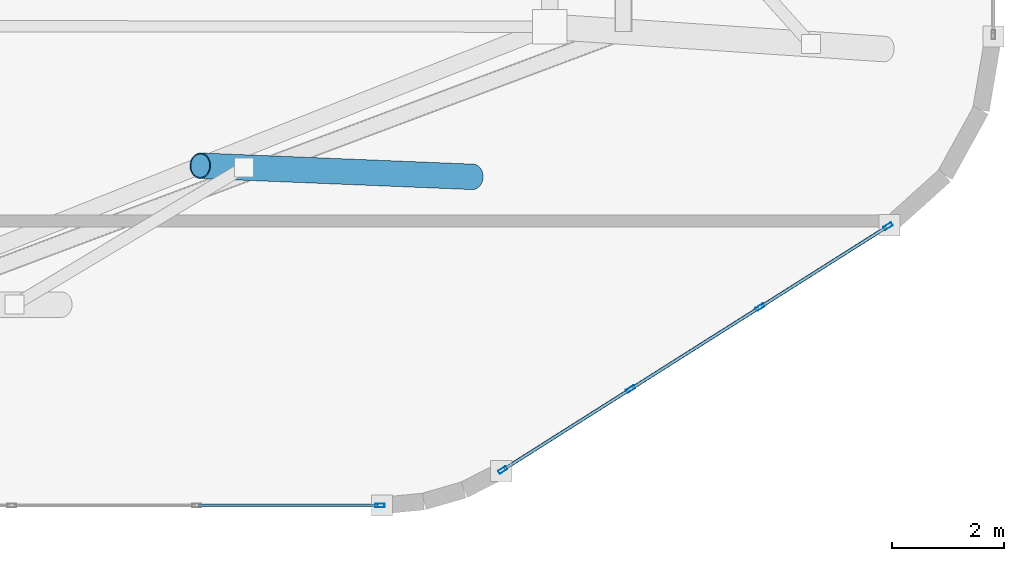
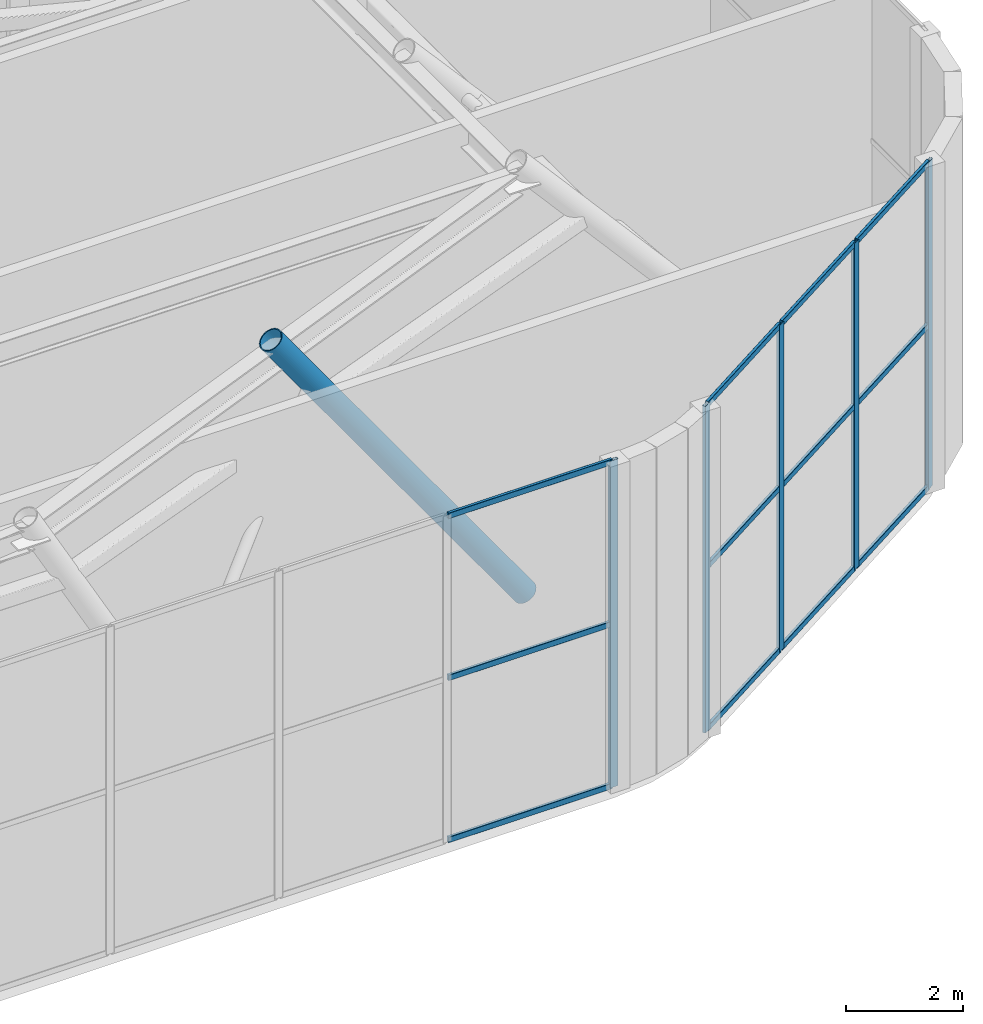
# One storey, part 16 of 24: 18 members, 2 elements without a shape of their own.
"""IFC4 building model written with IfcOpenShell, lengths in metres."""

import ifcopenshell
import ifcopenshell.guid

model = None  # the IFC model being written
_history = None  # IfcOwnerHistory: only IFC2X3 demands one
_inside = {}  # id of a spatial element -> (the spatial element, [elements in it])
_under = {}  # id of a project, library or spatial element -> (it, [spatial elements below it])
_declared = {}  # id of a project -> (the project, [libraries it declares])
_typed = {}  # id of a type object -> (the type object, [elements of that type])
_made_of = {}  # id of a material, layer set ... -> (it, [elements and type objects made of it])


def new_model(schema):
    """Start an empty IFC model of exactly this schema.

    Asked for "IFC4X3", IfcOpenShell would pick the latest addendum, in which some entities
    have other attributes; the version numbers below select the first issue.
    IFC2X3 requires an IfcOwnerHistory on every rooted entity: one is made here for all.
    """
    global model, _history
    if schema == "IFC4X3":
        model = ifcopenshell.file(schema_version=(4, 3, 0, 0))
    else:
        model = ifcopenshell.file(schema=schema)
    _inside.clear()
    _under.clear()
    _declared.clear()
    _typed.clear()
    _made_of.clear()
    _history = None
    if model.schema == "IFC2X3":
        org = make("IfcOrganization", Name="unknown")
        user = make(
            "IfcPersonAndOrganization",
            ThePerson=make("IfcPerson", FamilyName="unknown"),
            TheOrganization=org,
        )
        app = make(
            "IfcApplication",
            ApplicationDeveloper=org,
            Version="unknown",
            ApplicationFullName="unknown",
            ApplicationIdentifier="unknown",
        )
        _history = make(
            "IfcOwnerHistory",
            OwningUser=user,
            OwningApplication=app,
            ChangeAction="ADDED",
            CreationDate=0,
        )
    return model


def make(cls, **values):
    """One entity of the class cls with the attributes given. An attribute that is None is left unset."""
    return model.create_entity(
        cls, **{name: value for name, value in values.items() if value is not None}
    )


def rooted(cls, **values):
    """An entity with a GlobalId (a new one), such as an element, a storey or a relation."""
    return make(cls, GlobalId=ifcopenshell.guid.new(), OwnerHistory=_history, **values)


def si_unit(unit_type, name, prefix=None):
    """IfcSIUnit, for example si_unit("LENGTHUNIT", "METRE", prefix="MILLI")."""
    return make("IfcSIUnit", UnitType=unit_type, Prefix=prefix, Name=name)


def assignment(units):
    """IfcUnitAssignment: the units of a project."""
    return None if units is None else make("IfcUnitAssignment", Units=units)


def point(xyz):
    """IfcCartesianPoint."""
    return None if xyz is None else make("IfcCartesianPoint", Coordinates=xyz)


def direction(xyz):
    """IfcDirection."""
    return None if xyz is None else make("IfcDirection", DirectionRatios=xyz)


def frame(location, z_axis=None, x_axis=None):
    """IfcAxis2Placement3D, a coordinate frame: its origin and axes. An axis left out is left unset."""
    return make(
        "IfcAxis2Placement3D",
        Location=point(location),
        Axis=direction(z_axis),
        RefDirection=direction(x_axis),
    )


def frame_2d(location, x_axis=None):
    """IfcAxis2Placement2D, a coordinate frame in the plane: its origin and x axis."""
    return make(
        "IfcAxis2Placement2D", Location=point(location), RefDirection=direction(x_axis)
    )


def origin():
    """The frame at (0, 0, 0) with its axes left unset."""
    return frame((0.0, 0.0, 0.0))


def origin_2d():
    """The frame at (0, 0) in the plane with its x axis left unset."""
    return frame_2d((0.0, 0.0))


def place(relative_to, where):
    """IfcLocalPlacement: puts the frame where relative to a parent placement (None: the world)."""
    return make(
        "IfcLocalPlacement", PlacementRelTo=relative_to, RelativePlacement=where
    )


def context(
    kind, dimensions, precision=None, world=None, true_north=None, identifier=None
):
    """IfcGeometricRepresentationContext, for example the 3D "Model" context."""
    return make(
        "IfcGeometricRepresentationContext",
        ContextIdentifier=identifier,
        ContextType=kind,
        CoordinateSpaceDimension=dimensions,
        Precision=precision,
        WorldCoordinateSystem=world,
        TrueNorth=true_north,
    )


def subcontext(parent, identifier, kind, view, scale=None):
    """IfcGeometricRepresentationSubContext, for example "Body" below "Model"."""
    return make(
        "IfcGeometricRepresentationSubContext",
        ContextIdentifier=identifier,
        ContextType=kind,
        ParentContext=parent,
        TargetScale=scale,
        TargetView=view,
    )


def project(units=None, contexts=None):
    """IfcProject with its units and contexts."""
    return rooted(
        "IfcProject",
        Name="project",
        RepresentationContexts=contexts,
        UnitsInContext=assignment(units),
    )


def spatial(cls, under=None, at=None, **own):
    """A site, building, storey or space (cls), placed at a placement, below another one or the project."""
    s = rooted(cls, ObjectPlacement=at, **own)
    if under is not None:
        _under.setdefault(under.id(), (under, []))[1].append(s)
    return s


def profile(cls, at=None, kind="AREA", **sizes):
    """A parametric profile (cls). Its sizes go by their IFC names, for example OverallWidth=200.0."""
    return make(cls, ProfileType=kind, Position=at, **sizes)


def hollow_rectangle(**sizes):
    """IfcRectangleHollowProfileDef."""
    return profile("IfcRectangleHollowProfileDef", **sizes)


def hollow_circle(**sizes):
    """IfcCircleHollowProfileDef."""
    return profile("IfcCircleHollowProfileDef", **sizes)


def extrude(swept, where, along, depth):
    """IfcExtrudedAreaSolid: the profile swept, set in the frame where, extruded along a direction by depth."""
    return make(
        "IfcExtrudedAreaSolid",
        SweptArea=swept,
        Position=where,
        ExtrudedDirection=direction(along),
        Depth=depth,
    )


def shape(context_of_items, identifier, shape_type, items):
    """IfcShapeRepresentation: the items that make up one representation, for example the "Body"."""
    return make(
        "IfcShapeRepresentation",
        ContextOfItems=context_of_items,
        RepresentationIdentifier=identifier,
        RepresentationType=shape_type,
        Items=items,
    )


def material(Name=None, Category=None):
    """IfcMaterial."""
    return make("IfcMaterial", Name=Name, Category=Category)


def layer(
    of_material, thickness, ventilated=None, Name=None, Category=None, Priority=None
):
    """IfcMaterialLayer: one layer of a wall or slab, of a material (None: an air gap)."""
    return make(
        "IfcMaterialLayer",
        Material=of_material,
        LayerThickness=thickness,
        IsVentilated=ventilated,
        Name=Name,
        Category=Category,
        Priority=Priority,
    )


def layer_set(layers, Name=None):
    """IfcMaterialLayerSet."""
    return make("IfcMaterialLayerSet", MaterialLayers=layers, LayerSetName=Name)


def material_profile(
    of_material, cross_section, Name=None, Category=None, Priority=None
):
    """IfcMaterialProfile: a cross section and its material."""
    return make(
        "IfcMaterialProfile",
        Name=Name,
        Material=of_material,
        Profile=cross_section,
        Priority=Priority,
        Category=Category,
    )


def profile_set(profiles, Name=None, composite=None):
    """IfcMaterialProfileSet."""
    return make(
        "IfcMaterialProfileSet",
        Name=Name,
        MaterialProfiles=profiles,
        CompositeProfile=composite,
    )


def made_of(thing, what):
    """Note that an element or type object is made of a material, layer set ...; save() writes the relation."""
    if what is not None:
        _made_of.setdefault(what.id(), (what, []))[1].append(thing)
    return thing


def type_object(cls, material=None, **own):
    """A type object (cls), such as IfcWallType, which elements share."""
    return made_of(rooted(cls, **own), material)


def element(
    cls,
    number,
    at=None,
    inside=None,
    cuts=None,
    type_object=None,
    material=None,
    context=None,
    identifier="Body",
    shape_type=None,
    held_by="IfcProductDefinitionShape",
    body=None,
    shapes=None,
    **own,
):
    """One element of the class cls, such as IfcWall. Its Tag is "e" and its number.

    at: its placement. inside: the storey or other place that contains it. cuts: it is an
    opening in that element (IfcRelVoidsElement). A single representation is given by context,
    identifier, shape_type and body (its items); several are given by shapes. held_by: the class
    of the entity that holds the representations. save() writes the other relations.
    """
    e = rooted(cls, Tag="e%d" % number, ObjectPlacement=at, **own)
    if body is not None:
        shapes = [shape(context, identifier, shape_type, body)]
    if shapes is not None:
        e.Representation = make(held_by, Representations=shapes)
    if inside is not None:
        _inside.setdefault(inside.id(), (inside, []))[1].append(e)
    if cuts is not None:
        rooted(
            "IfcRelVoidsElement", RelatingBuildingElement=cuts, RelatedOpeningElement=e
        )
    if type_object is not None:
        _typed.setdefault(type_object.id(), (type_object, []))[1].append(e)
    return made_of(e, material)


def aggregate(whole, parts):
    """IfcRelAggregates: a whole, such as a stair, and the parts it consists of."""
    return rooted("IfcRelAggregates", RelatingObject=whole, RelatedObjects=parts)


def save(model, path):
    """Write the relations noted so far, then the file.

    IfcRelAggregates (storeys below a building ...), IfcRelContainedInSpatialStructure (elements
    in a storey), IfcRelDefinesByType, IfcRelAssociatesMaterial and IfcRelDeclares: one each for
    every whole, place, type object, material and project.
    """
    for whole, parts in _under.values():
        aggregate(whole, parts)
    for where, things in _inside.values():
        rooted(
            "IfcRelContainedInSpatialStructure",
            RelatedElements=things,
            RelatingStructure=where,
        )
    for kind, things in _typed.values():
        rooted("IfcRelDefinesByType", RelatedObjects=things, RelatingType=kind)
    for what, things in _made_of.values():
        rooted("IfcRelAssociatesMaterial", RelatedObjects=things, RelatingMaterial=what)
    for by, libraries in _declared.values():
        rooted("IfcRelDeclares", RelatingContext=by, RelatedDefinitions=libraries)
    model.write(path)


model = new_model("IFC4")

# Units and contexts
model_context = context("Model", 3, precision=1e-05, world=origin(), true_north=direction((0.0, 1.0)))
body_context = subcontext(model_context, "Body", "Model", "MODEL_VIEW")
ifc_project = project(units=[si_unit("LENGTHUNIT", "METRE"), si_unit("AREAUNIT", "SQUARE_METRE"), si_unit("VOLUMEUNIT", "CUBIC_METRE"), si_unit("PLANEANGLEUNIT", "RADIAN"), si_unit("MASSUNIT", "GRAM", prefix="KILO")], contexts=[model_context])

# Site, building, storey
site_placement = place(None, origin())
site = spatial("IfcSite", under=ifc_project, at=site_placement, CompositionType="ELEMENT")
building_placement = place(site_placement, origin())
building = spatial("IfcBuilding", under=site, at=building_placement, Name="An Khanh Terracotta Commons", CompositionType="ELEMENT")
storey_placement = place(building_placement, frame((0.0, 0.0, 315.199951171875)))
storey = spatial("IfcBuildingStorey", under=building, at=storey_placement, Name="L80 Crown Cooling Plant", CompositionType="ELEMENT", Elevation=315.199951171875)

# Member
ifc_material_1 = material(Name="Steel S460ML", Category="steel")
ifc_material_profile_1 = material_profile(ifc_material_1, hollow_circle(Radius=0.228515625, WallThickness=0.02001953125, at=origin_2d()), Name="CHS457x20")
ifc_profile_set_1 = profile_set([ifc_material_profile_1], Name="Steel S460ML")
member_type_1 = type_object("IfcMemberType", Name="CROWN FRAME RIB CHS457", PredefinedType="STRUT", material=ifc_profile_set_1)
member_1_placement = place(storey_placement, frame((55.469970703125, 17.489990234375, -0.119873046875), z_axis=(-0.580950149982, 0.023783962651, 0.813591572201), x_axis=(-0.040905499286, -0.999163019796, 0.0)))
element("IfcMember", 1, at=member_1_placement, inside=storey, type_object=member_type_1, Name="L80 Crown Cooling Plant CROWN FRAME Facet Strut 2", PredefinedType="STRUT", context=body_context, shape_type="SweptSolid", body=[
    extrude(hollow_circle(Radius=0.228515625, WallThickness=0.02001953125, at=origin_2d()), origin(), (0.0, 0.0, 1.0), 8.406982421875),
])

# Curtain wall, member
ifc_material_2 = material(Name="Anodised Aluminium 6063-T6", Category="aluminium")
ifc_layer = layer(ifc_material_2, 0.18994140625, Name="Anodised Aluminium 6063-T6")
ifc_layer_set = layer_set([ifc_layer], Name="Anodised Aluminium 6063-T6")
curtain_wall_type = type_object("IfcCurtainWallType", Name="CW-SYS-06", PredefinedType="USERDEFINED", material=ifc_layer_set)
curtain_wall_1_placement = place(storey_placement, origin())
curtain_wall_1 = element("IfcCurtainWall", 2, at=curtain_wall_1_placement, inside=storey, type_object=curtain_wall_type, Name="L80 Crown Cooling Plant CW-06 Unitised Curtain Wall CW-L80-04", ObjectType="UNITISED CURTAIN WALL", PredefinedType="USERDEFINED")
ifc_material_profile_2 = material_profile(ifc_material_2, hollow_rectangle(XDim=0.06494140625, YDim=0.1650390625, WallThickness=0.00390625, InnerFilletRadius=0.00390625, OuterFilletRadius=0.008056640625, at=origin_2d()), Name="RHS165x65x4")
ifc_profile_set_2 = profile_set([ifc_material_profile_2], Name="Anodised Aluminium 6063-T6")
member_type_2 = type_object("IfcMemberType", Name="CWM-RHS165x65x4", PredefinedType="MULLION", material=ifc_profile_set_2)
member_2_placement = place(storey_placement, frame((53.80859375, 11.60009765625, 0.0), z_axis=(0.0, 0.0, 1.0), x_axis=(0.0, 1.0, 0.0)))
member_2 = element("IfcMember", 3, at=member_2_placement, type_object=member_type_2, Name="CW-06 mullion 10", PredefinedType="MULLION", context=body_context, shape_type="SweptSolid", body=[
    extrude(hollow_rectangle(XDim=0.06494140625, YDim=0.1650390625, WallThickness=0.00390625, InnerFilletRadius=0.00390625, OuterFilletRadius=0.008056640625, at=origin_2d()), origin(), (0.0, 0.0, 1.0), 6.800048828125),
])

# Curtain wall, members
curtain_wall_2_placement = place(storey_placement, origin())
curtain_wall_2 = element("IfcCurtainWall", 4, at=curtain_wall_2_placement, inside=storey, type_object=curtain_wall_type, Name="L80 Crown Cooling Plant CW-06 Unitised Curtain Wall CW-L80-08", ObjectType="UNITISED CURTAIN WALL", PredefinedType="USERDEFINED")
member_3_placement = place(storey_placement, frame((56.007568359375, 12.2373046875, 0.0), z_axis=(0.0, 0.0, 1.0), x_axis=(-0.53458684232, 0.845113547412, 0.0)))
member_3 = element("IfcMember", 5, at=member_3_placement, type_object=member_type_2, Name="CW-06 mullion 1", PredefinedType="MULLION", context=body_context, shape_type="SweptSolid", body=[
    extrude(hollow_rectangle(XDim=0.06494140625, YDim=0.1650390625, WallThickness=0.00390625, InnerFilletRadius=0.00390625, OuterFilletRadius=0.008056640625, at=origin_2d()), origin(), (0.0, 0.0, 1.0), 6.800048828125),
])
member_4_placement = place(storey_placement, frame((58.299560546875, 13.687255859375, 0.0), z_axis=(0.0, 0.0, 1.0), x_axis=(-0.53458684232, 0.845113547412, 0.0)))
member_4 = element("IfcMember", 6, at=member_4_placement, type_object=member_type_2, Name="CW-06 mullion 2", PredefinedType="MULLION", context=body_context, shape_type="SweptSolid", body=[
    extrude(hollow_rectangle(XDim=0.06494140625, YDim=0.1650390625, WallThickness=0.00390625, InnerFilletRadius=0.00390625, OuterFilletRadius=0.008056640625, at=origin_2d()), origin(), (0.0, 0.0, 1.0), 6.800048828125),
])
member_5_placement = place(storey_placement, frame((60.619384765625, 15.15478515625, 0.0), z_axis=(0.0, 0.0, 1.0), x_axis=(-0.53458684232, 0.845113547412, 0.0)))
member_5 = element("IfcMember", 7, at=member_5_placement, type_object=member_type_2, Name="CW-06 mullion 3", PredefinedType="MULLION", context=body_context, shape_type="SweptSolid", body=[
    extrude(hollow_rectangle(XDim=0.06494140625, YDim=0.1650390625, WallThickness=0.00390625, InnerFilletRadius=0.00390625, OuterFilletRadius=0.008056640625, at=origin_2d()), origin(), (0.0, 0.0, 1.0), 6.800048828125),
])
member_6_placement = place(storey_placement, frame((62.91162109375, 16.604736328125, 0.0), z_axis=(0.0, 0.0, 1.0), x_axis=(-0.53458684232, 0.845113547412, 0.0)))
member_6 = element("IfcMember", 8, at=member_6_placement, type_object=member_type_2, Name="CW-06 mullion 4", PredefinedType="MULLION", context=body_context, shape_type="SweptSolid", body=[
    extrude(hollow_rectangle(XDim=0.06494140625, YDim=0.1650390625, WallThickness=0.00390625, InnerFilletRadius=0.00390625, OuterFilletRadius=0.008056640625, at=origin_2d()), origin(), (0.0, 0.0, 1.0), 6.800048828125),
])

# Member
ifc_material_profile_3 = material_profile(ifc_material_2, hollow_rectangle(XDim=0.06005859375, YDim=0.1201171875, WallThickness=0.003662109375, InnerFilletRadius=0.003662109375, OuterFilletRadius=0.007080078125, at=origin_2d()), Name="RHS120x60x3.6")
ifc_profile_set_3 = profile_set([ifc_material_profile_3], Name="Anodised Aluminium 6063-T6")
member_type_3 = type_object("IfcMemberType", Name="CWT-RHS120x60x3.6", PredefinedType="USERDEFINED", material=ifc_profile_set_3)
member_7_placement = place(storey_placement, frame((50.557861328125, 11.60009765625, 0.030029296875), z_axis=(1.0, 0.0, 0.0), x_axis=(0.0, 1.0, 0.0)))
member_7 = element("IfcMember", 9, at=member_7_placement, type_object=member_type_3, Name="CW-06 transom 9.1", ObjectType="TRANSOM", PredefinedType="USERDEFINED", context=body_context, shape_type="SweptSolid", body=[
    extrude(hollow_rectangle(XDim=0.06005859375, YDim=0.1201171875, WallThickness=0.003662109375, InnerFilletRadius=0.003662109375, OuterFilletRadius=0.007080078125, at=origin_2d()), origin(), (0.0, 0.0, 1.0), 3.218017578125),
])

member_8_placement = place(storey_placement, frame((50.557861328125, 11.60009765625, 3.400146484375), z_axis=(1.0, 0.0, 0.0), x_axis=(0.0, 1.0, 0.0)))
member_8 = element("IfcMember", 10, at=member_8_placement, type_object=member_type_3, Name="CW-06 transom 9.2", ObjectType="TRANSOM", PredefinedType="USERDEFINED", context=body_context, shape_type="SweptSolid", body=[
    extrude(hollow_rectangle(XDim=0.06005859375, YDim=0.1201171875, WallThickness=0.003662109375, InnerFilletRadius=0.003662109375, OuterFilletRadius=0.007080078125, at=origin_2d()), origin(), (0.0, 0.0, 1.0), 3.218017578125),
])

member_9_placement = place(storey_placement, frame((50.557861328125, 11.60009765625, 6.77001953125), z_axis=(1.0, 0.0, 0.0), x_axis=(0.0, 1.0, 0.0)))
member_9 = element("IfcMember", 11, at=member_9_placement, type_object=member_type_3, Name="CW-06 transom 9.3", ObjectType="TRANSOM", PredefinedType="USERDEFINED", context=body_context, shape_type="SweptSolid", body=[
    extrude(hollow_rectangle(XDim=0.06005859375, YDim=0.1201171875, WallThickness=0.003662109375, InnerFilletRadius=0.003662109375, OuterFilletRadius=0.007080078125, at=origin_2d()), origin(), (0.0, 0.0, 1.0), 3.218017578125),
])

aggregate(curtain_wall_1, [member_2, member_7, member_8, member_9])

member_10_placement = place(storey_placement, frame((56.034912109375, 12.254638671875, 0.030029296875), z_axis=(0.845105195387, 0.534600045576, 0.0), x_axis=(-0.534600045576, 0.845105195387, 0.0)))
member_10 = element("IfcMember", 12, at=member_10_placement, type_object=member_type_3, Name="CW-06 transom 1.1", ObjectType="TRANSOM", PredefinedType="USERDEFINED", context=body_context, shape_type="SweptSolid", body=[
    extrude(hollow_rectangle(XDim=0.06005859375, YDim=0.1201171875, WallThickness=0.003662109375, InnerFilletRadius=0.003662109375, OuterFilletRadius=0.007080078125, at=origin_2d()), origin(), (0.0, 0.0, 1.0), 2.6474609375),
])

member_11_placement = place(storey_placement, frame((56.034912109375, 12.254638671875, 3.400146484375), z_axis=(0.845105195387, 0.534600045576, 0.0), x_axis=(-0.534600045576, 0.845105195387, 0.0)))
member_11 = element("IfcMember", 13, at=member_11_placement, type_object=member_type_3, Name="CW-06 transom 1.2", ObjectType="TRANSOM", PredefinedType="USERDEFINED", context=body_context, shape_type="SweptSolid", body=[
    extrude(hollow_rectangle(XDim=0.06005859375, YDim=0.1201171875, WallThickness=0.003662109375, InnerFilletRadius=0.003662109375, OuterFilletRadius=0.007080078125, at=origin_2d()), origin(), (0.0, 0.0, 1.0), 2.6474609375),
])

member_12_placement = place(storey_placement, frame((56.034912109375, 12.254638671875, 6.77001953125), z_axis=(0.845105195387, 0.534600045576, 0.0), x_axis=(-0.534600045576, 0.845105195387, 0.0)))
member_12 = element("IfcMember", 14, at=member_12_placement, type_object=member_type_3, Name="CW-06 transom 1.3", ObjectType="TRANSOM", PredefinedType="USERDEFINED", context=body_context, shape_type="SweptSolid", body=[
    extrude(hollow_rectangle(XDim=0.06005859375, YDim=0.1201171875, WallThickness=0.003662109375, InnerFilletRadius=0.003662109375, OuterFilletRadius=0.007080078125, at=origin_2d()), origin(), (0.0, 0.0, 1.0), 2.6474609375),
])

member_13_placement = place(storey_placement, frame((58.3271484375, 13.70458984375, 0.030029296875), z_axis=(0.845098996916, 0.534609844103, 0.0), x_axis=(-0.534609844103, 0.845098996916, 0.0)))
member_13 = element("IfcMember", 15, at=member_13_placement, type_object=member_type_3, Name="CW-06 transom 2.1", ObjectType="TRANSOM", PredefinedType="USERDEFINED", context=body_context, shape_type="SweptSolid", body=[
    extrude(hollow_rectangle(XDim=0.06005859375, YDim=0.1201171875, WallThickness=0.003662109375, InnerFilletRadius=0.003662109375, OuterFilletRadius=0.007080078125, at=origin_2d()), origin(), (0.0, 0.0, 1.0), 2.6796875),
])

member_14_placement = place(storey_placement, frame((58.3271484375, 13.70458984375, 3.400146484375), z_axis=(0.845098996916, 0.534609844103, 0.0), x_axis=(-0.534609844103, 0.845098996916, 0.0)))
member_14 = element("IfcMember", 16, at=member_14_placement, type_object=member_type_3, Name="CW-06 transom 2.2", ObjectType="TRANSOM", PredefinedType="USERDEFINED", context=body_context, shape_type="SweptSolid", body=[
    extrude(hollow_rectangle(XDim=0.06005859375, YDim=0.1201171875, WallThickness=0.003662109375, InnerFilletRadius=0.003662109375, OuterFilletRadius=0.007080078125, at=origin_2d()), origin(), (0.0, 0.0, 1.0), 2.6796875),
])

member_15_placement = place(storey_placement, frame((58.3271484375, 13.70458984375, 6.77001953125), z_axis=(0.845098996916, 0.534609844103, 0.0), x_axis=(-0.534609844103, 0.845098996916, 0.0)))
member_15 = element("IfcMember", 17, at=member_15_placement, type_object=member_type_3, Name="CW-06 transom 2.3", ObjectType="TRANSOM", PredefinedType="USERDEFINED", context=body_context, shape_type="SweptSolid", body=[
    extrude(hollow_rectangle(XDim=0.06005859375, YDim=0.1201171875, WallThickness=0.003662109375, InnerFilletRadius=0.003662109375, OuterFilletRadius=0.007080078125, at=origin_2d()), origin(), (0.0, 0.0, 1.0), 2.6796875),
])

member_16_placement = place(storey_placement, frame((60.646728515625, 15.172119140625, 0.030029296875), z_axis=(0.845146859305, 0.534534176837, 0.0), x_axis=(-0.534534176837, 0.845146859305, 0.0)))
member_16 = element("IfcMember", 18, at=member_16_placement, type_object=member_type_3, Name="CW-06 transom 3.1", ObjectType="TRANSOM", PredefinedType="USERDEFINED", context=body_context, shape_type="SweptSolid", body=[
    extrude(hollow_rectangle(XDim=0.06005859375, YDim=0.1201171875, WallThickness=0.003662109375, InnerFilletRadius=0.003662109375, OuterFilletRadius=0.007080078125, at=origin_2d()), origin(), (0.0, 0.0, 1.0), 2.647216796875),
])

member_17_placement = place(storey_placement, frame((60.646728515625, 15.172119140625, 3.400146484375), z_axis=(0.845146859305, 0.534534176837, 0.0), x_axis=(-0.534534176837, 0.845146859305, 0.0)))
member_17 = element("IfcMember", 19, at=member_17_placement, type_object=member_type_3, Name="CW-06 transom 3.2", ObjectType="TRANSOM", PredefinedType="USERDEFINED", context=body_context, shape_type="SweptSolid", body=[
    extrude(hollow_rectangle(XDim=0.06005859375, YDim=0.1201171875, WallThickness=0.003662109375, InnerFilletRadius=0.003662109375, OuterFilletRadius=0.007080078125, at=origin_2d()), origin(), (0.0, 0.0, 1.0), 2.647216796875),
])

member_18_placement = place(storey_placement, frame((60.646728515625, 15.172119140625, 6.77001953125), z_axis=(0.845146859305, 0.534534176837, 0.0), x_axis=(-0.534534176837, 0.845146859305, 0.0)))
member_18 = element("IfcMember", 20, at=member_18_placement, type_object=member_type_3, Name="CW-06 transom 3.3", ObjectType="TRANSOM", PredefinedType="USERDEFINED", context=body_context, shape_type="SweptSolid", body=[
    extrude(hollow_rectangle(XDim=0.06005859375, YDim=0.1201171875, WallThickness=0.003662109375, InnerFilletRadius=0.003662109375, OuterFilletRadius=0.007080078125, at=origin_2d()), origin(), (0.0, 0.0, 1.0), 2.647216796875),
])

aggregate(curtain_wall_2, [member_3, member_4, member_5, member_6, member_10, member_11, member_12, member_13, member_14, member_15, member_16, member_17, member_18])

save(model, "model.ifc")
